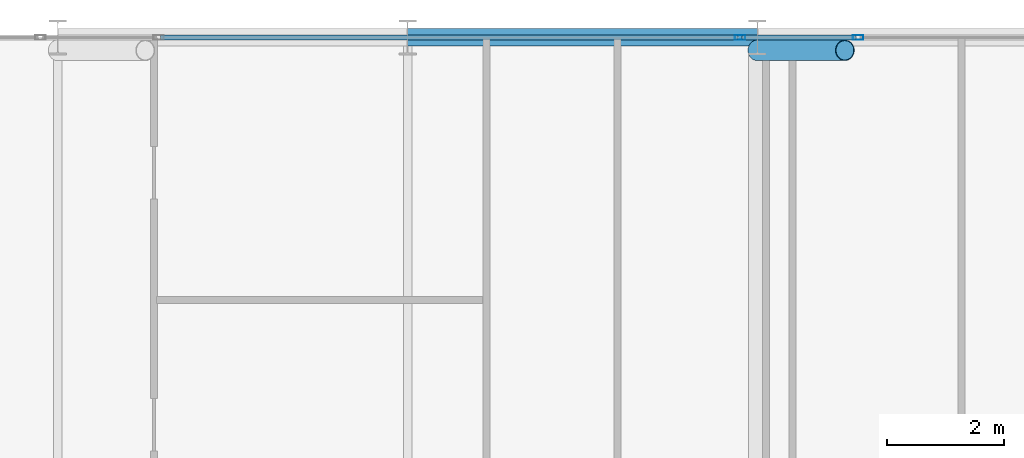
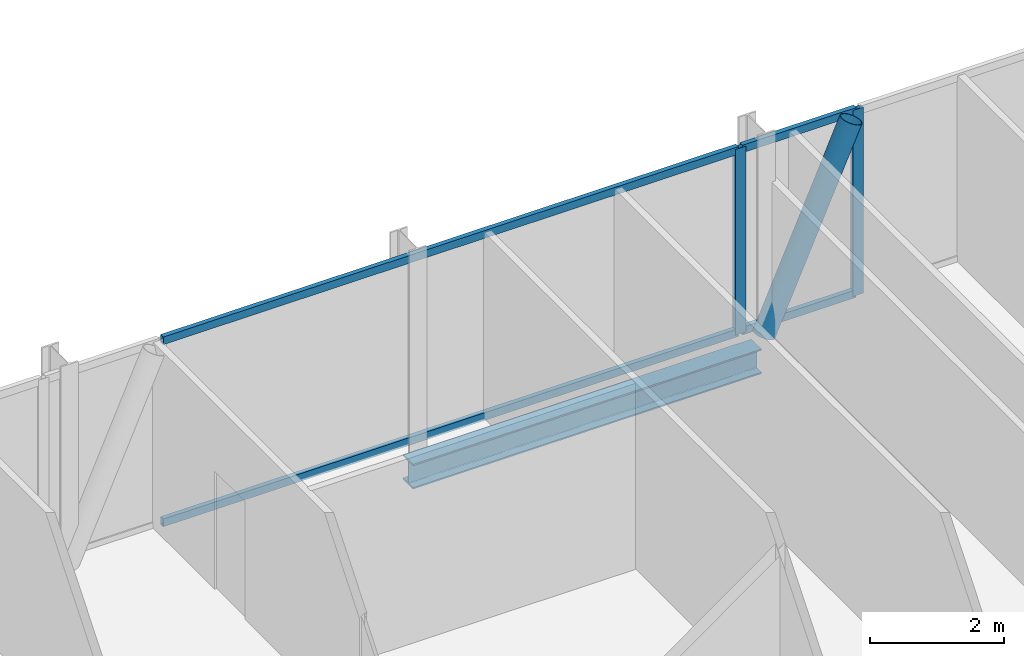
# One storey, part 17 of 30: 7 members, 1 beam, 2 elements without a shape of their own.
"""IFC4 building model written with IfcOpenShell, lengths in metres."""

import ifcopenshell
import ifcopenshell.guid

model = None  # the IFC model being written
_history = None  # IfcOwnerHistory: only IFC2X3 demands one
_inside = {}  # id of a spatial element -> (the spatial element, [elements in it])
_under = {}  # id of a project, library or spatial element -> (it, [spatial elements below it])
_declared = {}  # id of a project -> (the project, [libraries it declares])
_typed = {}  # id of a type object -> (the type object, [elements of that type])
_made_of = {}  # id of a material, layer set ... -> (it, [elements and type objects made of it])


def new_model(schema):
    """Start an empty IFC model of exactly this schema.

    Asked for "IFC4X3", IfcOpenShell would pick the latest addendum, in which some entities
    have other attributes; the version numbers below select the first issue.
    IFC2X3 requires an IfcOwnerHistory on every rooted entity: one is made here for all.
    """
    global model, _history
    if schema == "IFC4X3":
        model = ifcopenshell.file(schema_version=(4, 3, 0, 0))
    else:
        model = ifcopenshell.file(schema=schema)
    _inside.clear()
    _under.clear()
    _declared.clear()
    _typed.clear()
    _made_of.clear()
    _history = None
    if model.schema == "IFC2X3":
        org = make("IfcOrganization", Name="unknown")
        user = make(
            "IfcPersonAndOrganization",
            ThePerson=make("IfcPerson", FamilyName="unknown"),
            TheOrganization=org,
        )
        app = make(
            "IfcApplication",
            ApplicationDeveloper=org,
            Version="unknown",
            ApplicationFullName="unknown",
            ApplicationIdentifier="unknown",
        )
        _history = make(
            "IfcOwnerHistory",
            OwningUser=user,
            OwningApplication=app,
            ChangeAction="ADDED",
            CreationDate=0,
        )
    return model


def make(cls, **values):
    """One entity of the class cls with the attributes given. An attribute that is None is left unset."""
    return model.create_entity(
        cls, **{name: value for name, value in values.items() if value is not None}
    )


def rooted(cls, **values):
    """An entity with a GlobalId (a new one), such as an element, a storey or a relation."""
    return make(cls, GlobalId=ifcopenshell.guid.new(), OwnerHistory=_history, **values)


def si_unit(unit_type, name, prefix=None):
    """IfcSIUnit, for example si_unit("LENGTHUNIT", "METRE", prefix="MILLI")."""
    return make("IfcSIUnit", UnitType=unit_type, Prefix=prefix, Name=name)


def assignment(units):
    """IfcUnitAssignment: the units of a project."""
    return None if units is None else make("IfcUnitAssignment", Units=units)


def point(xyz):
    """IfcCartesianPoint."""
    return None if xyz is None else make("IfcCartesianPoint", Coordinates=xyz)


def direction(xyz):
    """IfcDirection."""
    return None if xyz is None else make("IfcDirection", DirectionRatios=xyz)


def frame(location, z_axis=None, x_axis=None):
    """IfcAxis2Placement3D, a coordinate frame: its origin and axes. An axis left out is left unset."""
    return make(
        "IfcAxis2Placement3D",
        Location=point(location),
        Axis=direction(z_axis),
        RefDirection=direction(x_axis),
    )


def frame_2d(location, x_axis=None):
    """IfcAxis2Placement2D, a coordinate frame in the plane: its origin and x axis."""
    return make(
        "IfcAxis2Placement2D", Location=point(location), RefDirection=direction(x_axis)
    )


def origin():
    """The frame at (0, 0, 0) with its axes left unset."""
    return frame((0.0, 0.0, 0.0))


def origin_2d():
    """The frame at (0, 0) in the plane with its x axis left unset."""
    return frame_2d((0.0, 0.0))


def place(relative_to, where):
    """IfcLocalPlacement: puts the frame where relative to a parent placement (None: the world)."""
    return make(
        "IfcLocalPlacement", PlacementRelTo=relative_to, RelativePlacement=where
    )


def context(
    kind, dimensions, precision=None, world=None, true_north=None, identifier=None
):
    """IfcGeometricRepresentationContext, for example the 3D "Model" context."""
    return make(
        "IfcGeometricRepresentationContext",
        ContextIdentifier=identifier,
        ContextType=kind,
        CoordinateSpaceDimension=dimensions,
        Precision=precision,
        WorldCoordinateSystem=world,
        TrueNorth=true_north,
    )


def subcontext(parent, identifier, kind, view, scale=None):
    """IfcGeometricRepresentationSubContext, for example "Body" below "Model"."""
    return make(
        "IfcGeometricRepresentationSubContext",
        ContextIdentifier=identifier,
        ContextType=kind,
        ParentContext=parent,
        TargetScale=scale,
        TargetView=view,
    )


def project(units=None, contexts=None):
    """IfcProject with its units and contexts."""
    return rooted(
        "IfcProject",
        Name="project",
        RepresentationContexts=contexts,
        UnitsInContext=assignment(units),
    )


def spatial(cls, under=None, at=None, **own):
    """A site, building, storey or space (cls), placed at a placement, below another one or the project."""
    s = rooted(cls, ObjectPlacement=at, **own)
    if under is not None:
        _under.setdefault(under.id(), (under, []))[1].append(s)
    return s


def profile(cls, at=None, kind="AREA", **sizes):
    """A parametric profile (cls). Its sizes go by their IFC names, for example OverallWidth=200.0."""
    return make(cls, ProfileType=kind, Position=at, **sizes)


def hollow_rectangle(**sizes):
    """IfcRectangleHollowProfileDef."""
    return profile("IfcRectangleHollowProfileDef", **sizes)


def hollow_circle(**sizes):
    """IfcCircleHollowProfileDef."""
    return profile("IfcCircleHollowProfileDef", **sizes)


def i_section(**sizes):
    """IfcIShapeProfileDef."""
    return profile("IfcIShapeProfileDef", **sizes)


def extrude(swept, where, along, depth):
    """IfcExtrudedAreaSolid: the profile swept, set in the frame where, extruded along a direction by depth."""
    return make(
        "IfcExtrudedAreaSolid",
        SweptArea=swept,
        Position=where,
        ExtrudedDirection=direction(along),
        Depth=depth,
    )


def shape(context_of_items, identifier, shape_type, items):
    """IfcShapeRepresentation: the items that make up one representation, for example the "Body"."""
    return make(
        "IfcShapeRepresentation",
        ContextOfItems=context_of_items,
        RepresentationIdentifier=identifier,
        RepresentationType=shape_type,
        Items=items,
    )


def material(Name=None, Category=None):
    """IfcMaterial."""
    return make("IfcMaterial", Name=Name, Category=Category)


def layer(
    of_material, thickness, ventilated=None, Name=None, Category=None, Priority=None
):
    """IfcMaterialLayer: one layer of a wall or slab, of a material (None: an air gap)."""
    return make(
        "IfcMaterialLayer",
        Material=of_material,
        LayerThickness=thickness,
        IsVentilated=ventilated,
        Name=Name,
        Category=Category,
        Priority=Priority,
    )


def layer_set(layers, Name=None):
    """IfcMaterialLayerSet."""
    return make("IfcMaterialLayerSet", MaterialLayers=layers, LayerSetName=Name)


def material_profile(
    of_material, cross_section, Name=None, Category=None, Priority=None
):
    """IfcMaterialProfile: a cross section and its material."""
    return make(
        "IfcMaterialProfile",
        Name=Name,
        Material=of_material,
        Profile=cross_section,
        Priority=Priority,
        Category=Category,
    )


def profile_set(profiles, Name=None, composite=None):
    """IfcMaterialProfileSet."""
    return make(
        "IfcMaterialProfileSet",
        Name=Name,
        MaterialProfiles=profiles,
        CompositeProfile=composite,
    )


def made_of(thing, what):
    """Note that an element or type object is made of a material, layer set ...; save() writes the relation."""
    if what is not None:
        _made_of.setdefault(what.id(), (what, []))[1].append(thing)
    return thing


def type_object(cls, material=None, **own):
    """A type object (cls), such as IfcWallType, which elements share."""
    return made_of(rooted(cls, **own), material)


def element(
    cls,
    number,
    at=None,
    inside=None,
    cuts=None,
    type_object=None,
    material=None,
    context=None,
    identifier="Body",
    shape_type=None,
    held_by="IfcProductDefinitionShape",
    body=None,
    shapes=None,
    **own,
):
    """One element of the class cls, such as IfcWall. Its Tag is "e" and its number.

    at: its placement. inside: the storey or other place that contains it. cuts: it is an
    opening in that element (IfcRelVoidsElement). A single representation is given by context,
    identifier, shape_type and body (its items); several are given by shapes. held_by: the class
    of the entity that holds the representations. save() writes the other relations.
    """
    e = rooted(cls, Tag="e%d" % number, ObjectPlacement=at, **own)
    if body is not None:
        shapes = [shape(context, identifier, shape_type, body)]
    if shapes is not None:
        e.Representation = make(held_by, Representations=shapes)
    if inside is not None:
        _inside.setdefault(inside.id(), (inside, []))[1].append(e)
    if cuts is not None:
        rooted(
            "IfcRelVoidsElement", RelatingBuildingElement=cuts, RelatedOpeningElement=e
        )
    if type_object is not None:
        _typed.setdefault(type_object.id(), (type_object, []))[1].append(e)
    return made_of(e, material)


def aggregate(whole, parts):
    """IfcRelAggregates: a whole, such as a stair, and the parts it consists of."""
    return rooted("IfcRelAggregates", RelatingObject=whole, RelatedObjects=parts)


def save(model, path):
    """Write the relations noted so far, then the file.

    IfcRelAggregates (storeys below a building ...), IfcRelContainedInSpatialStructure (elements
    in a storey), IfcRelDefinesByType, IfcRelAssociatesMaterial and IfcRelDeclares: one each for
    every whole, place, type object, material and project.
    """
    for whole, parts in _under.values():
        aggregate(whole, parts)
    for where, things in _inside.values():
        rooted(
            "IfcRelContainedInSpatialStructure",
            RelatedElements=things,
            RelatingStructure=where,
        )
    for kind, things in _typed.values():
        rooted("IfcRelDefinesByType", RelatedObjects=things, RelatingType=kind)
    for what, things in _made_of.values():
        rooted("IfcRelAssociatesMaterial", RelatedObjects=things, RelatingMaterial=what)
    for by, libraries in _declared.values():
        rooted("IfcRelDeclares", RelatingContext=by, RelatedDefinitions=libraries)
    model.write(path)


model = new_model("IFC4")

# Units and contexts
model_context = context("Model", 3, precision=1e-05, world=origin(), true_north=direction((0.0, 1.0)))
body_context = subcontext(model_context, "Body", "Model", "MODEL_VIEW")
ifc_project = project(units=[si_unit("LENGTHUNIT", "METRE"), si_unit("AREAUNIT", "SQUARE_METRE"), si_unit("VOLUMEUNIT", "CUBIC_METRE"), si_unit("PLANEANGLEUNIT", "RADIAN"), si_unit("MASSUNIT", "GRAM", prefix="KILO")], contexts=[model_context])

# Site, building, storey
site_placement = place(None, origin())
site = spatial("IfcSite", under=ifc_project, at=site_placement, CompositionType="ELEMENT")
building_placement = place(site_placement, origin())
building = spatial("IfcBuilding", under=site, at=building_placement, Name="Keshet Zoharim Tower", CompositionType="ELEMENT")
storey_placement = place(building_placement, frame((0.0, 0.0, 90.89990234375)))
storey = spatial("IfcBuildingStorey", under=building, at=storey_placement, Name="L21", CompositionType="ELEMENT", Elevation=90.89990234375)

# Beam
ifc_material_1 = material(Name="Steel S355", Category="steel")
ifc_material_profile_1 = material_profile(ifc_material_1, i_section(OverallWidth=0.300048828125, OverallDepth=0.449951171875, WebThickness=0.013916015625, FlangeThickness=0.02587890625, FilletRadius=0.027099609375, at=origin_2d()), Name="HEB450")
ifc_profile_set_1 = profile_set([ifc_material_profile_1], Name="Steel S355")
beam_type = type_object("IfcBeamType", Name="BM-WEB-HB450", PredefinedType="BEAM", material=ifc_profile_set_1)
beam_placement = place(storey_placement, frame((27.0, 53.89990234375, -0.539794921875), z_axis=(1.0, 0.0, 0.0), x_axis=(0.0, 1.0, 0.0)))
element("IfcBeam", 1, at=beam_placement, inside=storey, type_object=beam_type, Name="L21 Primary Girder X-020", PredefinedType="BEAM", context=body_context, shape_type="SweptSolid", body=[
    extrude(i_section(OverallWidth=0.300048828125, OverallDepth=0.449951171875, WebThickness=0.013916015625, FlangeThickness=0.02587890625, FilletRadius=0.027099609375, at=origin_2d()), origin(), (0.0, 0.0, 1.0), 6.0),
])

# Curtain wall, member
ifc_material_2 = material(Name="Aluminium 6063-T6", Category="aluminium")
ifc_layer = layer(ifc_material_2, 0.159912109375)
ifc_layer_set = layer_set([ifc_layer], Name="Aluminium 6063-T6")
curtain_wall_type = type_object("IfcCurtainWallType", Name="CW-SYS-03", PredefinedType="NOTDEFINED", material=ifc_layer_set)
curtain_wall_1_placement = place(storey_placement, origin())
curtain_wall_1 = element("IfcCurtainWall", 2, at=curtain_wall_1_placement, inside=storey, type_object=curtain_wall_type, Name="L21 Unitised Curtain Wall 13 Part 3", PredefinedType="NOTDEFINED")
ifc_material_profile_2 = material_profile(ifc_material_2, hollow_rectangle(XDim=0.080078125, YDim=0.179931640625, WallThickness=0.00439453125, at=origin_2d()), Name="MUL-80x180")
ifc_profile_set_2 = profile_set([ifc_material_profile_2], Name="Aluminium 6063-T6")
member_type_1 = type_object("IfcMemberType", Name="CWM-M18", PredefinedType="MULLION", material=ifc_profile_set_2)
member_1_placement = place(storey_placement, frame((32.702392578125, 53.89990234375, 0.0), z_axis=(0.0, 0.0, 1.0), x_axis=(0.0, 1.0, 0.0)))
member_1 = element("IfcMember", 3, at=member_1_placement, type_object=member_type_1, Name="CW-03 mullion 2", PredefinedType="MULLION", context=body_context, shape_type="SweptSolid", body=[
    extrude(hollow_rectangle(XDim=0.080078125, YDim=0.179931640625, WallThickness=0.00439453125, at=origin_2d()), origin(), (0.0, 0.0, 1.0), 3.385009765625),
])

curtain_wall_2_placement = place(storey_placement, origin())
curtain_wall_2 = element("IfcCurtainWall", 4, at=curtain_wall_2_placement, inside=storey, type_object=curtain_wall_type, Name="L21 Unitised Curtain Wall 13 Part 4", PredefinedType="NOTDEFINED")
member_2_placement = place(storey_placement, frame((34.7275390625, 53.89990234375, 0.0), z_axis=(0.0, 0.0, 1.0), x_axis=(0.0, 1.0, 0.0)))
member_2 = element("IfcMember", 5, at=member_2_placement, type_object=member_type_1, Name="CW-03 mullion 2", PredefinedType="MULLION", context=body_context, shape_type="SweptSolid", body=[
    extrude(hollow_rectangle(XDim=0.080078125, YDim=0.179931640625, WallThickness=0.00439453125, at=origin_2d()), origin(), (0.0, 0.0, 1.0), 3.385009765625),
])

# Member
ifc_material_profile_3 = material_profile(ifc_material_2, hollow_rectangle(XDim=0.080078125, YDim=0.139892578125, WallThickness=0.00390625, at=origin_2d()), Name="TRN-80x140")
ifc_profile_set_3 = profile_set([ifc_material_profile_3], Name="Aluminium 6063-T6")
member_type_2 = type_object("IfcMemberType", Name="CWT-T14", PredefinedType="USERDEFINED", material=ifc_profile_set_3)
member_3_placement = place(storey_placement, frame((22.7626953125, 53.89990234375, 0.03515625), z_axis=(1.0, 0.0, 0.0), x_axis=(0.0, 1.0, 0.0)))
member_3 = element("IfcMember", 6, at=member_3_placement, type_object=member_type_2, Name="CW-03 transom 1.1", ObjectType="TRANSOM", PredefinedType="USERDEFINED", context=body_context, shape_type="SweptSolid", body=[
    extrude(hollow_rectangle(XDim=0.080078125, YDim=0.139892578125, WallThickness=0.00390625, at=origin_2d()), origin(), (0.0, 0.0, 1.0), 9.90478515625),
])

member_4_placement = place(storey_placement, frame((22.7626953125, 53.89990234375, 3.35009765625), z_axis=(1.0, 0.0, 0.0), x_axis=(0.0, 1.0, 0.0)))
member_4 = element("IfcMember", 7, at=member_4_placement, type_object=member_type_2, Name="CW-03 transom 1.2", ObjectType="TRANSOM", PredefinedType="USERDEFINED", context=body_context, shape_type="SweptSolid", body=[
    extrude(hollow_rectangle(XDim=0.080078125, YDim=0.139892578125, WallThickness=0.00390625, at=origin_2d()), origin(), (0.0, 0.0, 1.0), 9.90478515625),
])

aggregate(curtain_wall_1, [member_1, member_3, member_4])

member_5_placement = place(storey_placement, frame((32.7373046875, 53.89990234375, 0.03515625), z_axis=(1.0, 0.0, 0.0), x_axis=(0.0, 1.0, 0.0)))
member_5 = element("IfcMember", 8, at=member_5_placement, type_object=member_type_2, Name="CW-03 transom 1.1", ObjectType="TRANSOM", PredefinedType="USERDEFINED", context=body_context, shape_type="SweptSolid", body=[
    extrude(hollow_rectangle(XDim=0.080078125, YDim=0.139892578125, WallThickness=0.00390625, at=origin_2d()), origin(), (0.0, 0.0, 1.0), 1.955322265625),
])

member_6_placement = place(storey_placement, frame((32.7373046875, 53.89990234375, 3.35009765625), z_axis=(1.0, 0.0, 0.0), x_axis=(0.0, 1.0, 0.0)))
member_6 = element("IfcMember", 9, at=member_6_placement, type_object=member_type_2, Name="CW-03 transom 1.2", ObjectType="TRANSOM", PredefinedType="USERDEFINED", context=body_context, shape_type="SweptSolid", body=[
    extrude(hollow_rectangle(XDim=0.080078125, YDim=0.139892578125, WallThickness=0.00390625, at=origin_2d()), origin(), (0.0, 0.0, 1.0), 1.955322265625),
])

aggregate(curtain_wall_2, [member_2, member_5, member_6])

ifc_material_profile_4 = material_profile(ifc_material_1, hollow_circle(Radius=0.177734375, WallThickness=0.012451171875, at=origin_2d()), Name="CHS355x12.5")
ifc_profile_set_4 = profile_set([ifc_material_profile_4], Name="Steel S355")
member_type_3 = type_object("IfcMemberType", Name="MB-BR-C355", PredefinedType="BRACE", material=ifc_profile_set_4)
member_7_placement = place(storey_placement, frame((33.0, 53.679931640625, 0.0), z_axis=(0.405134846829, 0.0, 0.91425694194), x_axis=(0.0, 1.0, 0.0)))
element("IfcMember", 10, at=member_7_placement, inside=storey, type_object=member_type_3, Name="L21 Perimeter Tube Brace 03", PredefinedType="BRACE", context=body_context, shape_type="SweptSolid", body=[
    extrude(hollow_circle(Radius=0.177734375, WallThickness=0.012451171875, at=origin_2d()), origin(), (0.0, 0.0, 1.0), 3.702392578125),
])

save(model, "model.ifc")
